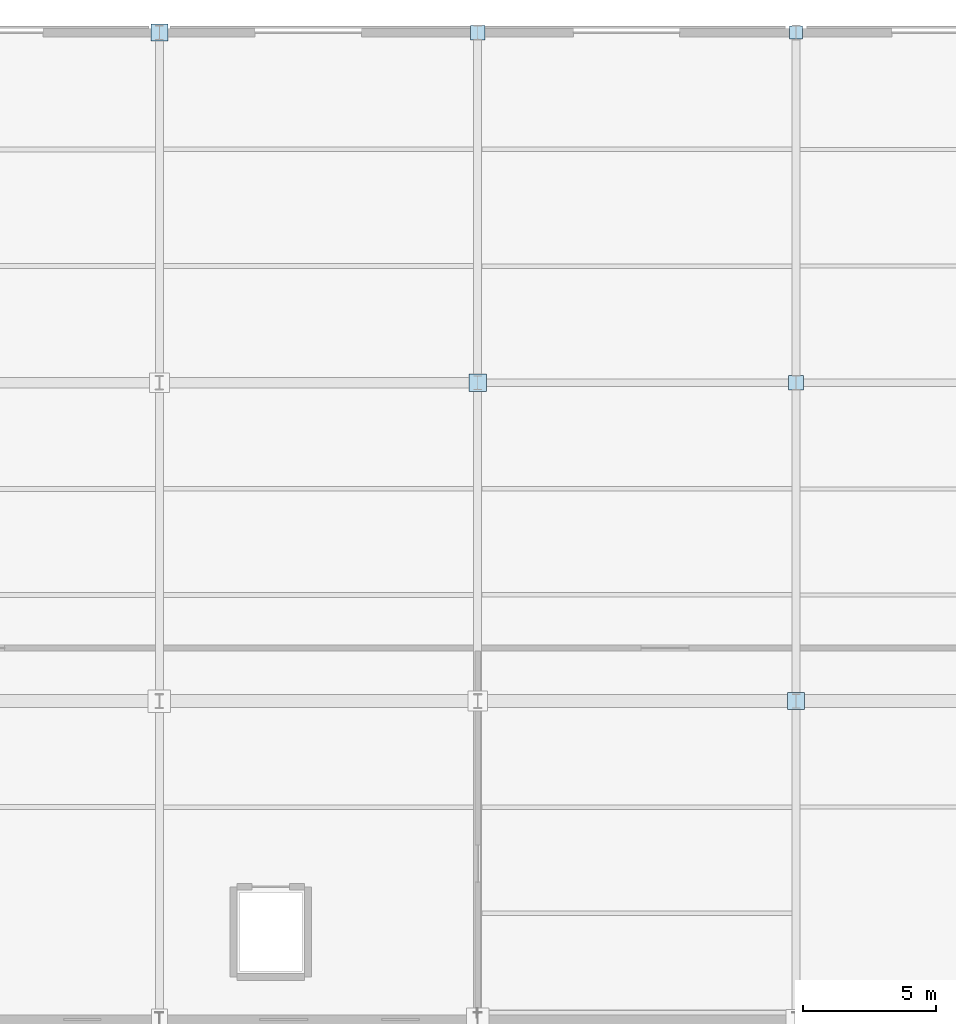
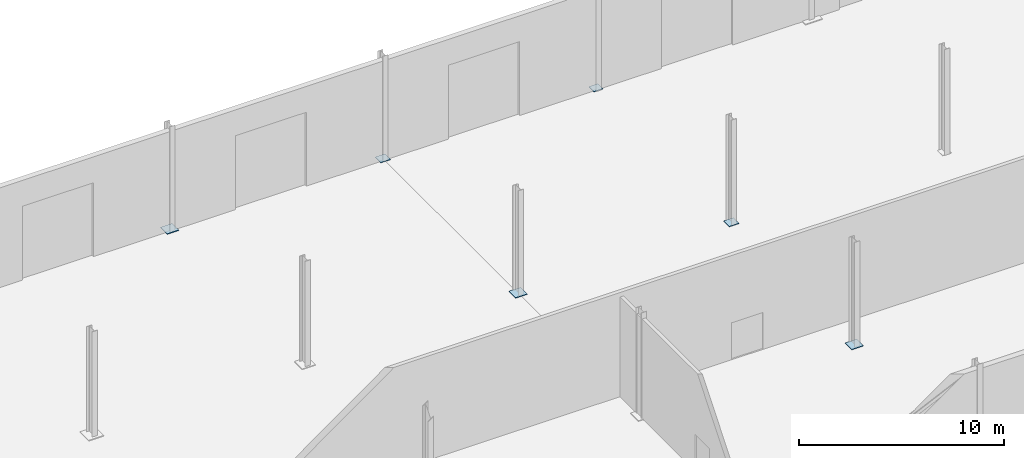
# One storey, part 166 of 196: 6 plates.
"""IFC4 building model written with IfcOpenShell, lengths in metres."""

from ifc_helpers import new_model, si_unit, direction, frame, origin, origin_2d, place, context, subcontext, project, spatial, rectangle, extrude, material, layer, layer_set, type_object, element, save


model = new_model("IFC4")

# Units and contexts
model_context = context("Model", 3, precision=1e-05, world=origin(), true_north=direction((0.0, 1.0)))
body_context = subcontext(model_context, "Body", "Model", "MODEL_VIEW")
ifc_project = project(units=[si_unit("LENGTHUNIT", "METRE"), si_unit("AREAUNIT", "SQUARE_METRE"), si_unit("VOLUMEUNIT", "CUBIC_METRE"), si_unit("PLANEANGLEUNIT", "RADIAN"), si_unit("MASSUNIT", "GRAM", prefix="KILO")], contexts=[model_context])

# Site, building, storey
site_placement = place(None, origin())
site = spatial("IfcSite", under=ifc_project, at=site_placement, CompositionType="ELEMENT")
building_placement = place(site_placement, origin())
building = spatial("IfcBuilding", under=site, at=building_placement, Name="Merenkruunu Market Hall", CompositionType="ELEMENT")
storey_placement = place(building_placement, origin())
storey = spatial("IfcBuildingStorey", under=building, at=storey_placement, Name="L00", CompositionType="ELEMENT", Elevation=0.0)

# Plates
ifc_material = material(Name="Steel S355ML", Category="steel")
ifc_layer_1 = layer(ifc_material, 0.034912109375)
ifc_layer_set_1 = layer_set([ifc_layer_1], Name="Steel S355ML")
plate_type_1 = type_object("IfcPlateType", Name="Column Base Plate BP03", PredefinedType="USERDEFINED", material=ifc_layer_set_1)
for number, where, z_axis, x_axis, name in (
    (1, (100.800048828125, 124.800048828125, 0.0), (0.0, 0.0, 1.0), (1.0, 0.0, 0.0), "PLT-BP-L-13"),
    (2, (112.800048828125, 111.60009765625, 0.0), (0.0, 0.0, 1.0), (1.0, 0.0, 0.0), "PLT-BP-M-12"),
    (3, (124.800048828125, 99.60009765625, 0.0), (0.0, 0.0, 1.0), (1.0, 0.0, 0.0), "PLT-BP-N-11"),
):
    element("IfcPlate", number, at=place(storey_placement, frame(where, z_axis=z_axis, x_axis=x_axis)), inside=storey, type_object=plate_type_1, Name=name, ObjectType="BASE_PLATE", PredefinedType="USERDEFINED", context=body_context, shape_type="SweptSolid", body=[
        extrude(rectangle(XDim=0.64990234375, YDim=0.64990234375, at=origin_2d()), origin(), (0.0, 0.0, 1.0), 0.034912109375),
    ])
ifc_layer_2 = layer(ifc_material, 0.030029296875)
ifc_layer_set_2 = layer_set([ifc_layer_2], Name="Steel S355ML")
plate_type_2 = type_object("IfcPlateType", Name="Column Base Plate BP04", PredefinedType="USERDEFINED", material=ifc_layer_set_2)
for number, where, z_axis, x_axis, name in (
    (4, (112.800048828125, 124.800048828125, 0.0), (0.0, 0.0, 1.0), (1.0, 0.0, 0.0), "PLT-BP-M-13"),
    (5, (124.800048828125, 111.60009765625, 0.0), (0.0, 0.0, 1.0), (1.0, 0.0, 0.0), "PLT-BP-N-12"),
):
    element("IfcPlate", number, at=place(storey_placement, frame(where, z_axis=z_axis, x_axis=x_axis)), inside=storey, type_object=plate_type_2, Name=name, ObjectType="BASE_PLATE", PredefinedType="USERDEFINED", context=body_context, shape_type="SweptSolid", body=[
        extrude(rectangle(XDim=0.550048828125, YDim=0.550048828125, at=origin_2d()), origin(), (0.0, 0.0, 1.0), 0.030029296875),
    ])
ifc_layer_3 = layer(ifc_material, 0.028076171875)
ifc_layer_set_3 = layer_set([ifc_layer_3], Name="Steel S355ML")
plate_type_3 = type_object("IfcPlateType", Name="Column Base Plate BP05", PredefinedType="USERDEFINED", material=ifc_layer_set_3)
plate_placement = place(storey_placement, frame((124.800048828125, 124.800048828125, 0.0), z_axis=(0.0, 0.0, 1.0), x_axis=(1.0, 0.0, 0.0)))
element("IfcPlate", 6, at=plate_placement, inside=storey, type_object=plate_type_3, Name="PLT-BP-N-13", ObjectType="BASE_PLATE", PredefinedType="USERDEFINED", context=body_context, shape_type="SweptSolid", body=[
    extrude(rectangle(XDim=0.5, YDim=0.5, at=origin_2d()), origin(), (0.0, 0.0, 1.0), 0.028076171875),
])

save(model, "model.ifc")
